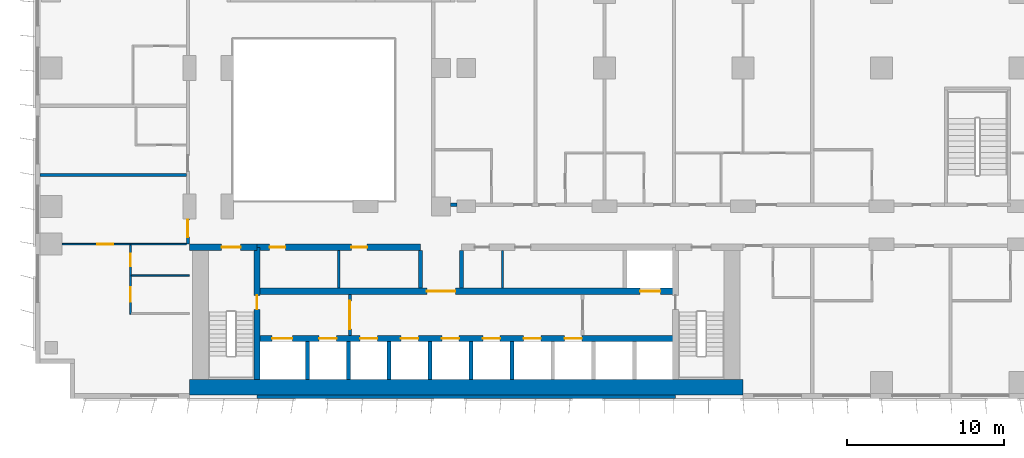
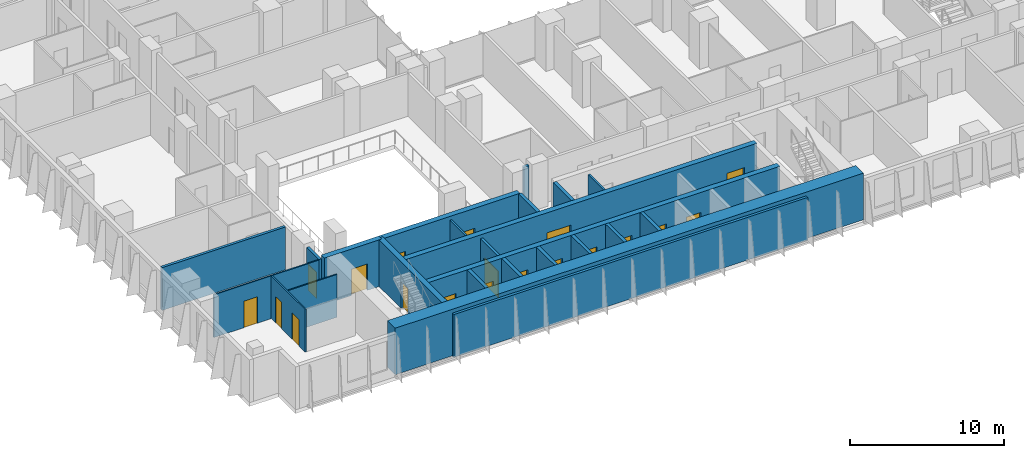
# One storey, part 12 of 24: 24 walls, 19 doors, 19 openings.
"""IFC4 building model written with IfcOpenShell, lengths in metres."""

from ifc_helpers import new_model, si_unit, direction, frame, frame_2d, origin, place, context, subcontext, project, spatial, rectangle, extrude, material, layer, layer_set, type_object, element, fill, save


model = new_model("IFC4")

# Units and contexts
model_context = context("Model", 3, precision=1e-05, world=origin(), true_north=direction((0.0, 1.0)))
body_context = subcontext(model_context, "Body", "Model", "MODEL_VIEW")
ifc_project = project(units=[si_unit("LENGTHUNIT", "METRE"), si_unit("AREAUNIT", "SQUARE_METRE"), si_unit("VOLUMEUNIT", "CUBIC_METRE"), si_unit("PLANEANGLEUNIT", "RADIAN"), si_unit("MASSUNIT", "GRAM", prefix="KILO")], contexts=[model_context])

# Site, building, storey
site_placement = place(None, origin())
site = spatial("IfcSite", under=ifc_project, at=site_placement, CompositionType="ELEMENT")
building_placement = place(site_placement, origin())
building = spatial("IfcBuilding", under=site, at=building_placement, Name="Kemantara Hotel Tower", CompositionType="ELEMENT")
storey_placement = place(building_placement, frame((0.0, 0.0, 56.199951171875)))
storey = spatial("IfcBuildingStorey", under=building, at=storey_placement, Name="L12", CompositionType="ELEMENT", Elevation=56.199951171875)

# Walls
ifc_material_1 = material(Name="Bronze anodised aluminium cladding on insulated steel stud wall", Category="steel")
ifc_layer_1 = layer(ifc_material_1, 0.199951171875)
ifc_layer_set_1 = layer_set([ifc_layer_1], Name="Bronze anodised aluminium cladding on insulated steel stud wall")
wall_type_1 = type_object("IfcWallType", Name="BRONZE METAL-CLAD EXTERNAL WALL 200", PredefinedType="STANDARD", material=ifc_layer_set_1)
wall_1_placement = place(storey_placement, frame((14.10009765625, 0.10009765625, 0.0), z_axis=(0.0, 0.0, 1.0), x_axis=(1.0, 0.0, 0.0)))
element("IfcWall", 1, at=wall_1_placement, inside=storey, type_object=wall_type_1, Name="EXTERNAL WALL L12 T1-R01-2", PredefinedType="STANDARD", context=body_context, shape_type="SweptSolid", body=[
    extrude(rectangle(XDim=26.599853515625, YDim=0.199951171875, at=frame_2d((13.2998046875, 0.0))), origin(), (0.0, 0.0, 1.0), 3.400146484375),
])
ifc_material_2 = material(Name="Concrete fc 70 MPa", Category="concrete")
ifc_layer_2 = layer(ifc_material_2, 1.0)
ifc_layer_set_2 = layer_set([ifc_layer_2], Name="Concrete fc 70 MPa")
wall_type_2 = type_object("IfcWallType", Name="CORE WALL 1000 FC70", PredefinedType="SHEAR", material=ifc_layer_set_2)
wall_2_placement = place(storey_placement, frame((9.800048828125, 0.699951171875, 0.0), z_axis=(0.0, 0.0, 1.0), x_axis=(1.0, 0.0, 0.0)))
element("IfcWall", 2, at=wall_2_placement, inside=storey, type_object=wall_type_2, Name="CORE WALL CW-S", PredefinedType="SHEAR", context=body_context, shape_type="SweptSolid", body=[
    extrude(rectangle(XDim=35.199951171875, YDim=1.0, at=frame_2d((17.60009765625, 0.0))), origin(), (0.0, 0.0, 1.0), 3.699951171875),
])
ifc_layer_3 = layer(ifc_material_2, 0.25)
ifc_layer_set_3 = layer_set([ifc_layer_3], Name="Concrete fc 70 MPa")
wall_type_3 = type_object("IfcWallType", Name="CORE WALL 250 FC70", PredefinedType="SHEAR", material=ifc_layer_set_3)
for number, where, z_axis, x_axis, name in (
    (3, (17.300048828125, 1.199951171875, 0.0), (0.0, 0.0, 1.0), (0.0, 1.0, 0.0), "CORE WALL CW-DS17.3"),
    (4, (19.89990234375, 1.199951171875, 0.0), (0.0, 0.0, 1.0), (0.0, 1.0, 0.0), "CORE WALL CW-DS19.9"),
    (5, (22.5, 1.199951171875, 0.0), (0.0, 0.0, 1.0), (0.0, 1.0, 0.0), "CORE WALL CW-DS22.5"),
    (6, (25.10009765625, 1.199951171875, 0.0), (0.0, 0.0, 1.0), (0.0, 1.0, 0.0), "CORE WALL CW-DS25.1"),
    (7, (27.699951171875, 1.199951171875, 0.0), (0.0, 0.0, 1.0), (0.0, 1.0, 0.0), "CORE WALL CW-DS27.7"),
    (8, (30.300048828125, 1.199951171875, 0.0), (0.0, 0.0, 1.0), (0.0, 1.0, 0.0), "CORE WALL CW-DS30.3"),
):
    element("IfcWall", number, at=place(storey_placement, frame(where, z_axis=z_axis, x_axis=x_axis)), inside=storey, type_object=wall_type_3, Name=name, PredefinedType="SHEAR", context=body_context, shape_type="SweptSolid", body=[
        extrude(rectangle(XDim=2.400146484375, YDim=0.25, at=frame_2d((1.2001953125, 0.0))), origin(), (0.0, 0.0, 1.0), 3.699951171875),
    ])
for number, where, z_axis, x_axis, name in (
    (9, (24.5, 7.0, 0.0), (0.0, 0.0, 1.0), (0.0, 1.0, 0.0), "CORE WALL CW-DN24.5"),
    (10, (27.10009765625, 7.0, 0.0), (0.0, 0.0, 1.0), (0.0, 1.0, 0.0), "CORE WALL CW-DN27.1"),
):
    element("IfcWall", number, at=place(storey_placement, frame(where, z_axis=z_axis, x_axis=x_axis)), inside=storey, type_object=wall_type_3, Name=name, PredefinedType="SHEAR", context=body_context, shape_type="SweptSolid", body=[
        extrude(rectangle(XDim=2.39990234375, YDim=0.25, at=frame_2d((1.199951171875, 0.0))), origin(), (0.0, 0.0, 1.0), 3.699951171875),
    ])

# Wall, opening, door
ifc_layer_4 = layer(ifc_material_2, 0.39990234375)
ifc_layer_set_4 = layer_set([ifc_layer_4], Name="Concrete fc 70 MPa")
wall_type_4 = type_object("IfcWallType", Name="CORE WALL 400 FC70", PredefinedType="SHEAR", material=ifc_layer_set_4)
wall_3_placement = place(storey_placement, frame((9.800048828125, 9.60009765625, 0.0), z_axis=(0.0, 0.0, 1.0), x_axis=(1.0, 0.0, 0.0)))
wall_3 = element("IfcWall", 11, at=wall_3_placement, inside=storey, type_object=wall_type_4, Name="CORE WALL CW-N1", PredefinedType="SHEAR", context=body_context, shape_type="SweptSolid", body=[
    extrude(rectangle(XDim=4.300048828125, YDim=0.39990234375, at=frame_2d((2.14990234375, 0.0))), origin(), (0.0, 0.0, 1.0), 3.699951171875),
])
opening_1_placement = place(wall_3_placement, frame((2.050048828125, 0.0, 0.0)))
opening_1 = element("IfcOpeningElement", 12, at=opening_1_placement, cuts=wall_3, Name="Opening C10-ST1-C", PredefinedType="OPENING", context=body_context, shape_type="SweptSolid", body=[
    extrude(rectangle(XDim=1.199951171875, YDim=2.10009765625, at=frame_2d((0.60009765625, 1.050048828125))), frame((0.0, 0.2099609375, 0.0), z_axis=(0.0, -1.0, 0.0), x_axis=(1.0, 0.0, 0.0)), (0.0, 0.0, 1.0), 0.419921875),
])
ifc_material_3 = material(Name="Steel fire door", Category="steel")
door_type_1 = type_object("IfcDoorType", Name="Fire door FD90 1200 x 2100", OperationType="NOTDEFINED", PredefinedType="DOOR", material=ifc_material_3)
door_1_placement = place(opening_1_placement, frame((1.199951171875, 0.0, 0.0), z_axis=(0.0, 0.0, 1.0), x_axis=(-1.0, 0.0, 0.0)))
door_1 = element("IfcDoor", 13, at=door_1_placement, inside=storey, type_object=door_type_1, Name="Stair ST1 door to corridor", OperationType="SINGLE_SWING_LEFT", OverallHeight=2.10009765625, OverallWidth=1.199951171875, PredefinedType="DOOR", context=body_context, shape_type="SweptSolid", body=[
    extrude(rectangle(XDim=1.199951171875, YDim=2.10009765625, at=frame_2d((0.60009765625, 1.050048828125))), frame((0.0, 0.02490234375, 0.0), z_axis=(0.0, -1.0, 0.0), x_axis=(1.0, 0.0, 0.0)), (0.0, 0.0, 1.0), 0.050048828125),
])
fill(opening_1, door_1)

# Wall, openings, doors
wall_4_placement = place(storey_placement, frame((14.10009765625, 9.60009765625, 0.0), z_axis=(0.0, 0.0, 1.0), x_axis=(1.0, 0.0, 0.0)))
wall_4 = element("IfcWall", 14, at=wall_4_placement, inside=storey, type_object=wall_type_4, Name="CORE WALL CW-NN1", PredefinedType="SHEAR", context=body_context, shape_type="SweptSolid", body=[
    extrude(rectangle(XDim=10.39990234375, YDim=0.39990234375, at=frame_2d((5.199951171875, 0.0))), origin(), (0.0, 0.0, 1.0), 3.699951171875),
])
opening_2_placement = place(wall_4_placement, frame((0.800048828125, 0.0, 0.0)))
opening_2 = element("IfcOpeningElement", 15, at=opening_2_placement, cuts=wall_4, Name="Opening C10-R-NW1", PredefinedType="OPENING", context=body_context, shape_type="SweptSolid", body=[
    extrude(rectangle(XDim=1.0, YDim=2.10009765625, at=frame_2d((0.5, 1.050048828125))), frame((0.0, 0.2099609375, 0.0), z_axis=(0.0, -1.0, 0.0), x_axis=(1.0, 0.0, 0.0)), (0.0, 0.0, 1.0), 0.419921875),
])
opening_3_placement = place(wall_4_placement, frame((6.0, 0.0, 0.0)))
opening_3 = element("IfcOpeningElement", 16, at=opening_3_placement, cuts=wall_4, Name="Opening C10-R-NW2", PredefinedType="OPENING", context=body_context, shape_type="SweptSolid", body=[
    extrude(rectangle(XDim=1.0, YDim=2.10009765625, at=frame_2d((0.5, 1.050048828125))), frame((0.0, 0.2099609375, 0.0), z_axis=(0.0, -1.0, 0.0), x_axis=(1.0, 0.0, 0.0)), (0.0, 0.0, 1.0), 0.419921875),
])
door_type_2 = type_object("IfcDoorType", Name="Fire door FD30S 1000 x 2100", OperationType="NOTDEFINED", PredefinedType="DOOR", material=ifc_material_3)
door_2_placement = place(opening_2_placement, frame((1.0, 0.0, 0.0), z_axis=(0.0, 0.0, 1.0), x_axis=(-1.0, 0.0, 0.0)))
door_2 = element("IfcDoor", 17, at=door_2_placement, inside=storey, type_object=door_type_2, Name="Linen Store door", OperationType="SINGLE_SWING_RIGHT", OverallHeight=2.10009765625, OverallWidth=1.0, PredefinedType="DOOR", context=body_context, shape_type="SweptSolid", body=[
    extrude(rectangle(XDim=1.0, YDim=2.10009765625, at=frame_2d((0.5, 1.050048828125))), frame((0.0, 0.02490234375, 0.0), z_axis=(0.0, -1.0, 0.0), x_axis=(1.0, 0.0, 0.0)), (0.0, 0.0, 1.0), 0.050048828125),
])
fill(opening_2, door_2)
door_3_placement = place(opening_3_placement, frame((1.0, 0.0, 0.0), z_axis=(0.0, 0.0, 1.0), x_axis=(-1.0, 0.0, 0.0)))
door_3 = element("IfcDoor", 18, at=door_3_placement, inside=storey, type_object=door_type_2, Name="Ice And Vending Room door", OperationType="SINGLE_SWING_LEFT", OverallHeight=2.10009765625, OverallWidth=1.0, PredefinedType="DOOR", context=body_context, shape_type="SweptSolid", body=[
    extrude(rectangle(XDim=1.0, YDim=2.10009765625, at=frame_2d((0.5, 1.050048828125))), frame((0.0, 0.02490234375, 0.0), z_axis=(0.0, -1.0, 0.0), x_axis=(1.0, 0.0, 0.0)), (0.0, 0.0, 1.0), 0.050048828125),
])
fill(opening_3, door_3)

wall_5_placement = place(storey_placement, frame((14.10009765625, 3.800048828125, 0.0), z_axis=(0.0, 0.0, 1.0), x_axis=(1.0, 0.0, 0.0)))
wall_5 = element("IfcWall", 19, at=wall_5_placement, inside=storey, type_object=wall_type_4, Name="CORE WALL CW-L1", PredefinedType="SHEAR", context=body_context, shape_type="SweptSolid", body=[
    extrude(rectangle(XDim=26.599853515625, YDim=0.39990234375, at=frame_2d((13.2998046875, 0.0))), origin(), (0.0, 0.0, 1.0), 3.699951171875),
])
opening_4_placement = place(wall_5_placement, frame((0.949951171875, 0.0, 0.0)))
opening_4 = element("IfcOpeningElement", 20, at=opening_4_placement, cuts=wall_5, Name="Opening C10-LD-FF1", PredefinedType="OPENING", context=body_context, shape_type="SweptSolid", body=[
    extrude(rectangle(XDim=1.300048828125, YDim=2.10009765625, at=frame_2d((0.64990234375, 1.050048828125))), frame((0.0, 0.2099609375, 0.0), z_axis=(0.0, -1.0, 0.0), x_axis=(1.0, 0.0, 0.0)), (0.0, 0.0, 1.0), 0.419921875),
])
opening_5_placement = place(wall_5_placement, frame((3.949951171875, 0.0, 0.0)))
opening_5 = element("IfcOpeningElement", 21, at=opening_5_placement, cuts=wall_5, Name="Opening C10-LD-SV1", PredefinedType="OPENING", context=body_context, shape_type="SweptSolid", body=[
    extrude(rectangle(XDim=1.10009765625, YDim=2.10009765625, at=frame_2d((0.550048828125, 1.050048828125))), frame((0.0, 0.2099609375, 0.0), z_axis=(0.0, -1.0, 0.0), x_axis=(1.0, 0.0, 0.0)), (0.0, 0.0, 1.0), 0.419921875),
])
opening_6_placement = place(wall_5_placement, frame((6.550048828125, 0.0, 0.0)))
opening_6 = element("IfcOpeningElement", 22, at=opening_6_placement, cuts=wall_5, Name="Opening C10-LD-SV2", PredefinedType="OPENING", context=body_context, shape_type="SweptSolid", body=[
    extrude(rectangle(XDim=1.10009765625, YDim=2.10009765625, at=frame_2d((0.550048828125, 1.050048828125))), frame((0.0, 0.2099609375, 0.0), z_axis=(0.0, -1.0, 0.0), x_axis=(1.0, 0.0, 0.0)), (0.0, 0.0, 1.0), 0.419921875),
])
opening_7_placement = place(wall_5_placement, frame((9.14990234375, 0.0, 0.0)))
opening_7 = element("IfcOpeningElement", 23, at=opening_7_placement, cuts=wall_5, Name="Opening C10-LD-SV3", PredefinedType="OPENING", context=body_context, shape_type="SweptSolid", body=[
    extrude(rectangle(XDim=1.10009765625, YDim=2.10009765625, at=frame_2d((0.550048828125, 1.050048828125))), frame((0.0, 0.2099609375, 0.0), z_axis=(0.0, -1.0, 0.0), x_axis=(1.0, 0.0, 0.0)), (0.0, 0.0, 1.0), 0.419921875),
])
opening_8_placement = place(wall_5_placement, frame((11.75, 0.0, 0.0)))
opening_8 = element("IfcOpeningElement", 24, at=opening_8_placement, cuts=wall_5, Name="Opening C10-LD-LR1", PredefinedType="OPENING", context=body_context, shape_type="SweptSolid", body=[
    extrude(rectangle(XDim=1.10009765625, YDim=2.10009765625, at=frame_2d((0.550048828125, 1.050048828125))), frame((0.0, 0.2099609375, 0.0), z_axis=(0.0, -1.0, 0.0), x_axis=(1.0, 0.0, 0.0)), (0.0, 0.0, 1.0), 0.419921875),
])
opening_9_placement = place(wall_5_placement, frame((14.35009765625, 0.0, 0.0)))
opening_9 = element("IfcOpeningElement", 25, at=opening_9_placement, cuts=wall_5, Name="Opening C10-LD-LR2", PredefinedType="OPENING", context=body_context, shape_type="SweptSolid", body=[
    extrude(rectangle(XDim=1.10009765625, YDim=2.10009765625, at=frame_2d((0.550048828125, 1.050048828125))), frame((0.0, 0.2099609375, 0.0), z_axis=(0.0, -1.0, 0.0), x_axis=(1.0, 0.0, 0.0)), (0.0, 0.0, 1.0), 0.419921875),
])
opening_10_placement = place(wall_5_placement, frame((16.949951171875, 0.0, 0.0)))
opening_10 = element("IfcOpeningElement", 26, at=opening_10_placement, cuts=wall_5, Name="Opening C10-LD-LR3", PredefinedType="OPENING", context=body_context, shape_type="SweptSolid", body=[
    extrude(rectangle(XDim=1.10009765625, YDim=2.10009765625, at=frame_2d((0.550048828125, 1.050048828125))), frame((0.0, 0.2099609375, 0.0), z_axis=(0.0, -1.0, 0.0), x_axis=(1.0, 0.0, 0.0)), (0.0, 0.0, 1.0), 0.419921875),
])
opening_11_placement = place(wall_5_placement, frame((19.550048828125, 0.0, 0.0)))
opening_11 = element("IfcOpeningElement", 27, at=opening_11_placement, cuts=wall_5, Name="Opening C10-LD-LR4", PredefinedType="OPENING", context=body_context, shape_type="SweptSolid", body=[
    extrude(rectangle(XDim=1.10009765625, YDim=2.10009765625, at=frame_2d((0.550048828125, 1.050048828125))), frame((0.0, 0.2099609375, 0.0), z_axis=(0.0, -1.0, 0.0), x_axis=(1.0, 0.0, 0.0)), (0.0, 0.0, 1.0), 0.419921875),
])
ifc_material_4 = material(Name="Stainless steel lift door", Category="steel")
door_type_3 = type_object("IfcDoorType", Name="Lift landing door 1100 x 2100 FD60", OperationType="DOUBLE_DOOR_SLIDING", PredefinedType="DOOR", material=ifc_material_4)
door_4_placement = place(opening_5_placement, origin())
door_4 = element("IfcDoor", 28, at=door_4_placement, inside=storey, type_object=door_type_3, Name="Lift SV1 landing door", OperationType="DOUBLE_DOOR_SLIDING", OverallHeight=2.10009765625, OverallWidth=1.10009765625, PredefinedType="DOOR", context=body_context, shape_type="SweptSolid", body=[
    extrude(rectangle(XDim=1.10009765625, YDim=2.10009765625, at=frame_2d((0.550048828125, 1.050048828125))), frame((0.0, 0.02490234375, 0.0), z_axis=(0.0, -1.0, 0.0), x_axis=(1.0, 0.0, 0.0)), (0.0, 0.0, 1.0), 0.050048828125),
])
fill(opening_5, door_4)
door_5_placement = place(opening_6_placement, origin())
door_5 = element("IfcDoor", 29, at=door_5_placement, inside=storey, type_object=door_type_3, Name="Lift SV2 landing door", OperationType="DOUBLE_DOOR_SLIDING", OverallHeight=2.10009765625, OverallWidth=1.10009765625, PredefinedType="DOOR", context=body_context, shape_type="SweptSolid", body=[
    extrude(rectangle(XDim=1.10009765625, YDim=2.10009765625, at=frame_2d((0.550048828125, 1.050048828125))), frame((0.0, 0.02490234375, 0.0), z_axis=(0.0, -1.0, 0.0), x_axis=(1.0, 0.0, 0.0)), (0.0, 0.0, 1.0), 0.050048828125),
])
fill(opening_6, door_5)
door_6_placement = place(opening_7_placement, origin())
door_6 = element("IfcDoor", 30, at=door_6_placement, inside=storey, type_object=door_type_3, Name="Lift SV3 landing door", OperationType="DOUBLE_DOOR_SLIDING", OverallHeight=2.10009765625, OverallWidth=1.10009765625, PredefinedType="DOOR", context=body_context, shape_type="SweptSolid", body=[
    extrude(rectangle(XDim=1.10009765625, YDim=2.10009765625, at=frame_2d((0.550048828125, 1.050048828125))), frame((0.0, 0.02490234375, 0.0), z_axis=(0.0, -1.0, 0.0), x_axis=(1.0, 0.0, 0.0)), (0.0, 0.0, 1.0), 0.050048828125),
])
fill(opening_7, door_6)
door_7_placement = place(opening_8_placement, origin())
door_7 = element("IfcDoor", 31, at=door_7_placement, inside=storey, type_object=door_type_3, Name="Lift LR1 landing door", OperationType="DOUBLE_DOOR_SLIDING", OverallHeight=2.10009765625, OverallWidth=1.10009765625, PredefinedType="DOOR", context=body_context, shape_type="SweptSolid", body=[
    extrude(rectangle(XDim=1.10009765625, YDim=2.10009765625, at=frame_2d((0.550048828125, 1.050048828125))), frame((0.0, 0.02490234375, 0.0), z_axis=(0.0, -1.0, 0.0), x_axis=(1.0, 0.0, 0.0)), (0.0, 0.0, 1.0), 0.050048828125),
])
fill(opening_8, door_7)
door_8_placement = place(opening_9_placement, origin())
door_8 = element("IfcDoor", 32, at=door_8_placement, inside=storey, type_object=door_type_3, Name="Lift LR2 landing door", OperationType="DOUBLE_DOOR_SLIDING", OverallHeight=2.10009765625, OverallWidth=1.10009765625, PredefinedType="DOOR", context=body_context, shape_type="SweptSolid", body=[
    extrude(rectangle(XDim=1.10009765625, YDim=2.10009765625, at=frame_2d((0.550048828125, 1.050048828125))), frame((0.0, 0.02490234375, 0.0), z_axis=(0.0, -1.0, 0.0), x_axis=(1.0, 0.0, 0.0)), (0.0, 0.0, 1.0), 0.050048828125),
])
fill(opening_9, door_8)
door_9_placement = place(opening_10_placement, origin())
door_9 = element("IfcDoor", 33, at=door_9_placement, inside=storey, type_object=door_type_3, Name="Lift LR3 landing door", OperationType="DOUBLE_DOOR_SLIDING", OverallHeight=2.10009765625, OverallWidth=1.10009765625, PredefinedType="DOOR", context=body_context, shape_type="SweptSolid", body=[
    extrude(rectangle(XDim=1.10009765625, YDim=2.10009765625, at=frame_2d((0.550048828125, 1.050048828125))), frame((0.0, 0.02490234375, 0.0), z_axis=(0.0, -1.0, 0.0), x_axis=(1.0, 0.0, 0.0)), (0.0, 0.0, 1.0), 0.050048828125),
])
fill(opening_10, door_9)
door_10_placement = place(opening_11_placement, origin())
door_10 = element("IfcDoor", 34, at=door_10_placement, inside=storey, type_object=door_type_3, Name="Lift LR4 landing door", OperationType="DOUBLE_DOOR_SLIDING", OverallHeight=2.10009765625, OverallWidth=1.10009765625, PredefinedType="DOOR", context=body_context, shape_type="SweptSolid", body=[
    extrude(rectangle(XDim=1.10009765625, YDim=2.10009765625, at=frame_2d((0.550048828125, 1.050048828125))), frame((0.0, 0.02490234375, 0.0), z_axis=(0.0, -1.0, 0.0), x_axis=(1.0, 0.0, 0.0)), (0.0, 0.0, 1.0), 0.050048828125),
])
fill(opening_11, door_10)
door_type_4 = type_object("IfcDoorType", Name="Lift landing door 1300 x 2100 FD90", OperationType="DOUBLE_DOOR_SLIDING", PredefinedType="DOOR", material=ifc_material_4)
door_11_placement = place(opening_4_placement, origin())
door_11 = element("IfcDoor", 35, at=door_11_placement, inside=storey, type_object=door_type_4, Name="Lift FF1 landing door", OperationType="DOUBLE_DOOR_SLIDING", OverallHeight=2.10009765625, OverallWidth=1.300048828125, PredefinedType="DOOR", context=body_context, shape_type="SweptSolid", body=[
    extrude(rectangle(XDim=1.300048828125, YDim=2.10009765625, at=frame_2d((0.64990234375, 1.050048828125))), frame((0.0, 0.02490234375, 0.0), z_axis=(0.0, -1.0, 0.0), x_axis=(1.0, 0.0, 0.0)), (0.0, 0.0, 1.0), 0.050048828125),
])
fill(opening_4, door_11)

wall_6_placement = place(storey_placement, frame((14.10009765625, 6.800048828125, 0.0), z_axis=(0.0, 0.0, 1.0), x_axis=(1.0, 0.0, 0.0)))
wall_6 = element("IfcWall", 36, at=wall_6_placement, inside=storey, type_object=wall_type_4, Name="CORE WALL CW-L2", PredefinedType="SHEAR", context=body_context, shape_type="SweptSolid", body=[
    extrude(rectangle(XDim=26.599853515625, YDim=0.39990234375, at=frame_2d((13.2998046875, 0.0))), origin(), (0.0, 0.0, 1.0), 3.699951171875),
])
opening_12_placement = place(wall_6_placement, frame((10.800048828125, 0.0, 0.0)))
opening_12 = element("IfcOpeningElement", 37, at=opening_12_placement, cuts=wall_6, Name="Opening C10-VL", PredefinedType="OPENING", context=body_context, shape_type="SweptSolid", body=[
    extrude(rectangle(XDim=1.800048828125, YDim=2.10009765625, at=frame_2d((0.89990234375, 1.050048828125))), frame((0.0, 0.2099609375, 0.0), z_axis=(0.0, -1.0, 0.0), x_axis=(1.0, 0.0, 0.0)), (0.0, 0.0, 1.0), 0.419921875),
])
opening_13_placement = place(wall_6_placement, frame((24.35009765625, 0.0, 0.0)))
opening_13 = element("IfcOpeningElement", 38, at=opening_13_placement, cuts=wall_6, Name="Opening C10-LD-FF2", PredefinedType="OPENING", context=body_context, shape_type="SweptSolid", body=[
    extrude(rectangle(XDim=1.300048828125, YDim=2.10009765625, at=frame_2d((0.64990234375, 1.050048828125))), frame((0.0, 0.2099609375, 0.0), z_axis=(0.0, -1.0, 0.0), x_axis=(1.0, 0.0, 0.0)), (0.0, 0.0, 1.0), 0.419921875),
])
door_type_5 = type_object("IfcDoorType", Name="Fire door pair FD60 1800 x 2100", OperationType="DOUBLE_DOOR_SINGLE_SWING", PredefinedType="DOOR", material=ifc_material_3)
door_12_placement = place(opening_12_placement, frame((1.800048828125, 0.0, 0.0), z_axis=(0.0, 0.0, 1.0), x_axis=(-1.0, 0.0, 0.0)))
door_12 = element("IfcDoor", 39, at=door_12_placement, inside=storey, type_object=door_type_5, Name="Lift lobby entry door", OperationType="DOUBLE_DOOR_SINGLE_SWING", OverallHeight=2.10009765625, OverallWidth=1.800048828125, PredefinedType="DOOR", context=body_context, shape_type="SweptSolid", body=[
    extrude(rectangle(XDim=1.800048828125, YDim=2.10009765625, at=frame_2d((0.89990234375, 1.050048828125))), frame((0.0, 0.02490234375, 0.0), z_axis=(0.0, -1.0, 0.0), x_axis=(1.0, 0.0, 0.0)), (0.0, 0.0, 1.0), 0.050048828125),
])
fill(opening_12, door_12)
door_13_placement = place(opening_13_placement, origin())
door_13 = element("IfcDoor", 40, at=door_13_placement, inside=storey, type_object=door_type_4, Name="Lift FF2 landing door", OperationType="DOUBLE_DOOR_SLIDING", OverallHeight=2.10009765625, OverallWidth=1.300048828125, PredefinedType="DOOR", context=body_context, shape_type="SweptSolid", body=[
    extrude(rectangle(XDim=1.300048828125, YDim=2.10009765625, at=frame_2d((0.64990234375, 1.050048828125))), frame((0.0, 0.02490234375, 0.0), z_axis=(0.0, -1.0, 0.0), x_axis=(1.0, 0.0, 0.0)), (0.0, 0.0, 1.0), 0.050048828125),
])
fill(opening_13, door_13)

# Wall, opening, door
wall_7_placement = place(storey_placement, frame((14.10009765625, 1.199951171875, 0.0), z_axis=(0.0, 0.0, 1.0), x_axis=(0.0, 1.0, 0.0)))
wall_7 = element("IfcWall", 41, at=wall_7_placement, inside=storey, type_object=wall_type_4, Name="CORE WALL CW-ST1E", PredefinedType="SHEAR", context=body_context, shape_type="SweptSolid", body=[
    extrude(rectangle(XDim=8.400146484375, YDim=0.39990234375, at=frame_2d((4.2001953125, 0.0))), origin(), (0.0, 0.0, 1.0), 3.699951171875),
])
opening_14_placement = place(wall_7_placement, frame((4.449951171875, 0.0, 0.0)))
opening_14 = element("IfcOpeningElement", 42, at=opening_14_placement, cuts=wall_7, Name="Opening C10-ST1-F", PredefinedType="OPENING", context=body_context, shape_type="SweptSolid", body=[
    extrude(rectangle(XDim=0.89990234375, YDim=2.10009765625, at=frame_2d((0.449951171875, 1.050048828125))), frame((0.0, 0.2099609375, 0.0), z_axis=(0.0, -1.0, 0.0), x_axis=(1.0, 0.0, 0.0)), (0.0, 0.0, 1.0), 0.419921875),
])
door_type_6 = type_object("IfcDoorType", Name="Fire door FD90 900 x 2100", OperationType="NOTDEFINED", PredefinedType="DOOR", material=ifc_material_3)
door_14_placement = place(opening_14_placement, origin())
door_14 = element("IfcDoor", 43, at=door_14_placement, inside=storey, type_object=door_type_6, Name="Stair ST1 door to firefighting lobby", OperationType="SINGLE_SWING_RIGHT", OverallHeight=2.10009765625, OverallWidth=0.89990234375, PredefinedType="DOOR", context=body_context, shape_type="SweptSolid", body=[
    extrude(rectangle(XDim=0.89990234375, YDim=2.10009765625, at=frame_2d((0.449951171875, 1.050048828125))), frame((0.0, 0.02490234375, 0.0), z_axis=(0.0, -1.0, 0.0), x_axis=(1.0, 0.0, 0.0)), (0.0, 0.0, 1.0), 0.050048828125),
])
fill(opening_14, door_14)

# Wall
ifc_material_5 = material(Name="Gypsum board partition, steel studs and mineral wool, 200 mm", Category="steel")
ifc_layer_5 = layer(ifc_material_5, 0.199951171875)
ifc_layer_set_5 = layer_set([ifc_layer_5], Name="Gypsum board partition, steel studs and mineral wool, 200 mm")
wall_type_5 = type_object("IfcWallType", Name="CORRIDOR WALL 200", PredefinedType="PARTITIONING", material=ifc_layer_set_5)
wall_8_placement = place(storey_placement, frame((26.400146484375, 12.300048828125, 0.0), z_axis=(0.0, 0.0, 1.0), x_axis=(1.0, 0.0, 0.0)))
element("IfcWall", 44, at=wall_8_placement, inside=storey, type_object=wall_type_5, Name="CORRIDOR WALL 200 011", PredefinedType="PARTITIONING", context=body_context, shape_type="SweptSolid", body=[
    extrude(rectangle(XDim=0.399658203125, YDim=0.199951171875, at=frame_2d((0.19970703125, 0.0))), origin(), (0.0, 0.0, 1.0), 3.400146484375),
])

# Wall, opening, door
wall_9_placement = place(storey_placement, frame((9.699951171875, 9.800048828125, 0.0), z_axis=(0.0, 0.0, 1.0), x_axis=(0.0, 1.0, 0.0)))
wall_9 = element("IfcWall", 45, at=wall_9_placement, inside=storey, type_object=wall_type_5, Name="CORRIDOR WALL 200 025", PredefinedType="PARTITIONING", context=body_context, shape_type="SweptSolid", body=[
    extrude(rectangle(XDim=1.599853515625, YDim=0.199951171875, at=frame_2d((0.7998046875, 0.0))), origin(), (0.0, 0.0, 1.0), 3.400146484375),
])
opening_15_placement = place(wall_9_placement, frame((0.449951171875, 0.0, 0.0)))
opening_15 = element("IfcOpeningElement", 46, at=opening_15_placement, cuts=wall_9, Name="Opening F04-029", PredefinedType="OPENING", context=body_context, shape_type="SweptSolid", body=[
    extrude(rectangle(XDim=1.10009765625, YDim=2.10009765625, at=frame_2d((0.550048828125, 1.050048828125))), frame((0.0, 0.10986328125, 0.0), z_axis=(0.0, -1.0, 0.0), x_axis=(1.0, 0.0, 0.0)), (0.0, 0.0, 1.0), 0.219970703125),
])
ifc_material_6 = material(Name="Hardwood veneer door leaf with steel frame", Category="steel")
door_type_7 = type_object("IfcDoorType", Name="SUITE ENTRANCE DOOR 1100 X 2100 FD30S", OperationType="NOTDEFINED", PredefinedType="DOOR", material=ifc_material_6)
door_15_placement = place(opening_15_placement, origin())
door_15 = element("IfcDoor", 47, at=door_15_placement, inside=storey, type_object=door_type_7, Name="SUITE ENTRANCE DOOR F04-029", OperationType="SINGLE_SWING_RIGHT", OverallHeight=2.10009765625, OverallWidth=1.10009765625, PredefinedType="DOOR", context=body_context, shape_type="SweptSolid", body=[
    extrude(rectangle(XDim=1.10009765625, YDim=2.10009765625, at=frame_2d((0.550048828125, 1.050048828125))), frame((0.0, 0.02490234375, 0.0), z_axis=(0.0, -1.0, 0.0), x_axis=(1.0, 0.0, 0.0)), (0.0, 0.0, 1.0), 0.050048828125),
])
fill(opening_15, door_15)

# Walls
ifc_layer_6 = layer(ifc_material_5, 0.199951171875)
ifc_layer_set_6 = layer_set([ifc_layer_6], Name="Gypsum board partition, steel studs and mineral wool, 200 mm")
wall_type_6 = type_object("IfcWallType", Name="GUEST ROOM PARTY WALL 200", PredefinedType="PARTITIONING", material=ifc_layer_set_6)
wall_10_placement = place(storey_placement, frame((0.31005859375, 14.199951171875, 0.0), z_axis=(0.0, 0.0, 1.0), x_axis=(1.0, 0.0, 0.0)))
element("IfcWall", 48, at=wall_10_placement, inside=storey, type_object=wall_type_6, Name="GUEST ROOM PARTY WALL 200 034", PredefinedType="PARTITIONING", context=body_context, shape_type="SweptSolid", body=[
    extrude(rectangle(XDim=9.2900390625, YDim=0.199951171875, at=frame_2d((4.64501953125, 0.0))), origin(), (0.0, 0.0, 1.0), 3.400146484375),
])
ifc_material_7 = material(Name="Gypsum board partition")
ifc_layer_7 = layer(ifc_material_7, 0.14990234375)
ifc_layer_set_7 = layer_set([ifc_layer_7], Name="Gypsum board partition")
wall_type_7 = type_object("IfcWallType", Name="Gypsum board partition 150 mm", PredefinedType="PARTITIONING", material=ifc_layer_set_7)
for number, where, z_axis, x_axis, name in (
    (49, (19.300048828125, 7.0, 0.0), (0.0, 0.0, 1.0), (0.0, 1.0, 0.0), "Core room partition"),
    (50, (29.699951171875, 7.0, 0.0), (0.0, 0.0, 1.0), (0.0, 1.0, 0.0), "Core room partition"),
):
    element("IfcWall", number, at=place(storey_placement, frame(where, z_axis=z_axis, x_axis=x_axis)), inside=storey, type_object=wall_type_7, Name=name, PredefinedType="PARTITIONING", context=body_context, shape_type="SweptSolid", body=[
        extrude(rectangle(XDim=2.39990234375, YDim=0.14990234375, at=frame_2d((1.199951171875, 0.0))), origin(), (0.0, 0.0, 1.0), 3.400146484375),
    ])

# Wall, opening, door
ifc_material_8 = material(Name="Gypsum board shaft wall")
ifc_layer_8 = layer(ifc_material_8, 0.199951171875)
ifc_layer_set_8 = layer_set([ifc_layer_8], Name="Gypsum board shaft wall")
wall_type_8 = type_object("IfcWallType", Name="Gypsum board shaft wall 200 mm", PredefinedType="PARTITIONING", material=ifc_layer_set_8)
wall_11_placement = place(storey_placement, frame((20.0, 4.0, 0.0), z_axis=(0.0, 0.0, 1.0), x_axis=(0.0, 1.0, 0.0)))
wall_11 = element("IfcWall", 51, at=wall_11_placement, inside=storey, type_object=wall_type_8, Name="Firefighting lobby partition west", PredefinedType="PARTITIONING", context=body_context, shape_type="SweptSolid", body=[
    extrude(rectangle(XDim=2.60009765625, YDim=0.199951171875, at=frame_2d((1.300048828125, 0.0))), origin(), (0.0, 0.0, 1.0), 3.400146484375),
])
opening_16_placement = place(wall_11_placement, frame((0.39990234375, 0.0, 0.0)))
opening_16 = element("IfcOpeningElement", 52, at=opening_16_placement, cuts=wall_11, Name="Opening C10-FFW", PredefinedType="OPENING", context=body_context, shape_type="SweptSolid", body=[
    extrude(rectangle(XDim=1.800048828125, YDim=2.10009765625, at=frame_2d((0.89990234375, 1.050048828125))), frame((0.0, 0.10986328125, 0.0), z_axis=(0.0, -1.0, 0.0), x_axis=(1.0, 0.0, 0.0)), (0.0, 0.0, 1.0), 0.219970703125),
])
door_16_placement = place(opening_16_placement, origin())
door_16 = element("IfcDoor", 53, at=door_16_placement, inside=storey, type_object=door_type_5, Name="Firefighting lobby door west", OperationType="DOUBLE_DOOR_SINGLE_SWING", OverallHeight=2.10009765625, OverallWidth=1.800048828125, PredefinedType="DOOR", context=body_context, shape_type="SweptSolid", body=[
    extrude(rectangle(XDim=1.800048828125, YDim=2.10009765625, at=frame_2d((0.89990234375, 1.050048828125))), frame((0.0, 0.02490234375, 0.0), z_axis=(0.0, -1.0, 0.0), x_axis=(1.0, 0.0, 0.0)), (0.0, 0.0, 1.0), 0.050048828125),
])
fill(opening_16, door_16)

# Wall, openings, doors
ifc_material_9 = material(Name="Gypsum board partition on steel studs, 100 mm", Category="steel")
ifc_layer_9 = layer(ifc_material_9, 0.10009765625)
ifc_layer_set_9 = layer_set([ifc_layer_9], Name="Gypsum board partition on steel studs, 100 mm")
wall_type_9 = type_object("IfcWallType", Name="ROOM PARTITION 100", PredefinedType="PARTITIONING", material=ifc_layer_set_9)
wall_12_placement = place(storey_placement, frame((6.050048828125, 9.75, 0.0), z_axis=(0.0, 0.0, 1.0), x_axis=(0.0, -1.0, 0.0)))
wall_12 = element("IfcWall", 54, at=wall_12_placement, inside=storey, type_object=wall_type_9, Name="ROOM PARTITION 100 094", PredefinedType="PARTITIONING", context=body_context, shape_type="SweptSolid", body=[
    extrude(rectangle(XDim=4.39990234375, YDim=0.10009765625, at=frame_2d((2.199951171875, 0.0))), origin(), (0.0, 0.0, 1.0), 3.400146484375),
])
opening_17_placement = place(wall_12_placement, frame((2.699951171875, 0.0, 0.0)))
opening_17 = element("IfcOpeningElement", 55, at=opening_17_placement, cuts=wall_12, Name="Opening F04-031", PredefinedType="OPENING", context=body_context, shape_type="SweptSolid", body=[
    extrude(rectangle(XDim=0.89990234375, YDim=2.10009765625, at=frame_2d((0.449951171875, 1.050048828125))), frame((0.0, 0.06005859375, 0.0), z_axis=(0.0, -1.0, 0.0), x_axis=(1.0, 0.0, 0.0)), (0.0, 0.0, 1.0), 0.1201171875),
])
opening_18_placement = place(wall_12_placement, frame((0.550048828125, 0.0, 0.0)))
opening_18 = element("IfcOpeningElement", 56, at=opening_18_placement, cuts=wall_12, Name="Opening F04-032", PredefinedType="OPENING", context=body_context, shape_type="SweptSolid", body=[
    extrude(rectangle(XDim=0.800048828125, YDim=2.10009765625, at=frame_2d((0.39990234375, 1.050048828125))), frame((0.0, 0.06005859375, 0.0), z_axis=(0.0, -1.0, 0.0), x_axis=(1.0, 0.0, 0.0)), (0.0, 0.0, 1.0), 0.1201171875),
])
door_type_8 = type_object("IfcDoorType", Name="BATHROOM DOOR 900 X 2100", OperationType="NOTDEFINED", PredefinedType="DOOR", material=ifc_material_6)
door_17_placement = place(opening_17_placement, origin())
door_17 = element("IfcDoor", 57, at=door_17_placement, inside=storey, type_object=door_type_8, Name="BATHROOM DOOR F04-031", OperationType="SINGLE_SWING_LEFT", OverallHeight=2.10009765625, OverallWidth=0.89990234375, PredefinedType="DOOR", context=body_context, shape_type="SweptSolid", body=[
    extrude(rectangle(XDim=0.89990234375, YDim=2.10009765625, at=frame_2d((0.449951171875, 1.050048828125))), frame((0.0, 0.02490234375, 0.0), z_axis=(0.0, -1.0, 0.0), x_axis=(1.0, 0.0, 0.0)), (0.0, 0.0, 1.0), 0.050048828125),
])
fill(opening_17, door_17)
door_type_9 = type_object("IfcDoorType", Name="WARDROBE DOOR 800 X 2100", OperationType="NOTDEFINED", PredefinedType="DOOR", material=ifc_material_6)
door_18_placement = place(opening_18_placement, origin())
door_18 = element("IfcDoor", 58, at=door_18_placement, inside=storey, type_object=door_type_9, Name="WARDROBE DOOR F04-032", OperationType="SINGLE_SWING_LEFT", OverallHeight=2.10009765625, OverallWidth=0.800048828125, PredefinedType="DOOR", context=body_context, shape_type="SweptSolid", body=[
    extrude(rectangle(XDim=0.800048828125, YDim=2.10009765625, at=frame_2d((0.39990234375, 1.050048828125))), frame((0.0, 0.02490234375, 0.0), z_axis=(0.0, -1.0, 0.0), x_axis=(1.0, 0.0, 0.0)), (0.0, 0.0, 1.0), 0.050048828125),
])
fill(opening_18, door_18)

# Wall, opening, door
wall_13_placement = place(storey_placement, frame((9.60009765625, 9.800048828125, 0.0), z_axis=(0.0, 0.0, 1.0), x_axis=(-1.0, 0.0, 0.0)))
wall_13 = element("IfcWall", 59, at=wall_13_placement, inside=storey, type_object=wall_type_9, Name="ROOM PARTITION 100 096", PredefinedType="PARTITIONING", context=body_context, shape_type="SweptSolid", body=[
    extrude(rectangle(XDim=7.89990234375, YDim=0.10009765625, at=frame_2d((3.949951171875, 0.0))), origin(), (0.0, 0.0, 1.0), 3.400146484375),
])
opening_19_placement = place(wall_13_placement, frame((4.64990234375, 0.0, 0.0)))
opening_19 = element("IfcOpeningElement", 60, at=opening_19_placement, cuts=wall_13, Name="Opening F04-030", PredefinedType="OPENING", context=body_context, shape_type="SweptSolid", body=[
    extrude(rectangle(XDim=1.0, YDim=2.10009765625, at=frame_2d((0.5, 1.050048828125))), frame((0.0, 0.06005859375, 0.0), z_axis=(0.0, -1.0, 0.0), x_axis=(1.0, 0.0, 0.0)), (0.0, 0.0, 1.0), 0.1201171875),
])
door_type_10 = type_object("IfcDoorType", Name="INTERNAL DOOR 1000 X 2100", OperationType="NOTDEFINED", PredefinedType="DOOR", material=ifc_material_6)
door_19_placement = place(opening_19_placement, origin())
door_19 = element("IfcDoor", 61, at=door_19_placement, inside=storey, type_object=door_type_10, Name="INTERNAL DOOR F04-030", OperationType="SINGLE_SWING_LEFT", OverallHeight=2.10009765625, OverallWidth=1.0, PredefinedType="DOOR", context=body_context, shape_type="SweptSolid", body=[
    extrude(rectangle(XDim=1.0, YDim=2.10009765625, at=frame_2d((0.5, 1.050048828125))), frame((0.0, 0.02490234375, 0.0), z_axis=(0.0, -1.0, 0.0), x_axis=(1.0, 0.0, 0.0)), (0.0, 0.0, 1.0), 0.050048828125),
])
fill(opening_19, door_19)

# Wall
wall_14_placement = place(storey_placement, frame((6.10009765625, 7.800048828125, 0.0), z_axis=(0.0, 0.0, 1.0), x_axis=(1.0, 0.0, 0.0)))
element("IfcWall", 62, at=wall_14_placement, inside=storey, type_object=wall_type_9, Name="ROOM PARTITION 100 098", PredefinedType="PARTITIONING", context=body_context, shape_type="SweptSolid", body=[
    extrude(rectangle(XDim=3.69970703125, YDim=0.10009765625, at=frame_2d((1.849853515625, 0.0))), origin(), (0.0, 0.0, 1.0), 3.400146484375),
])

save(model, "model.ifc")
